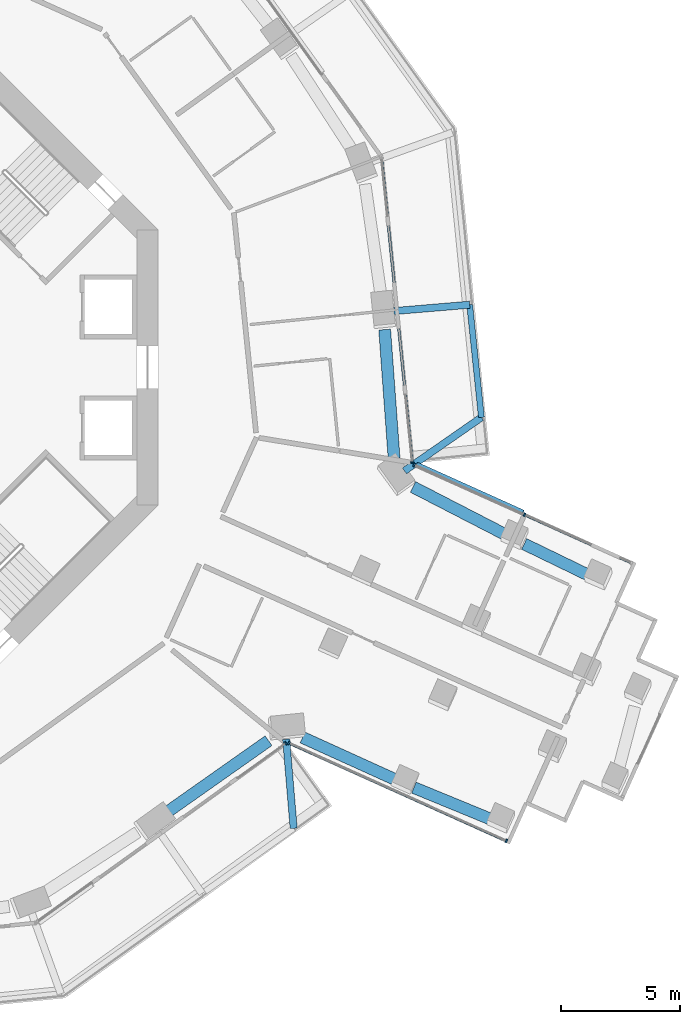
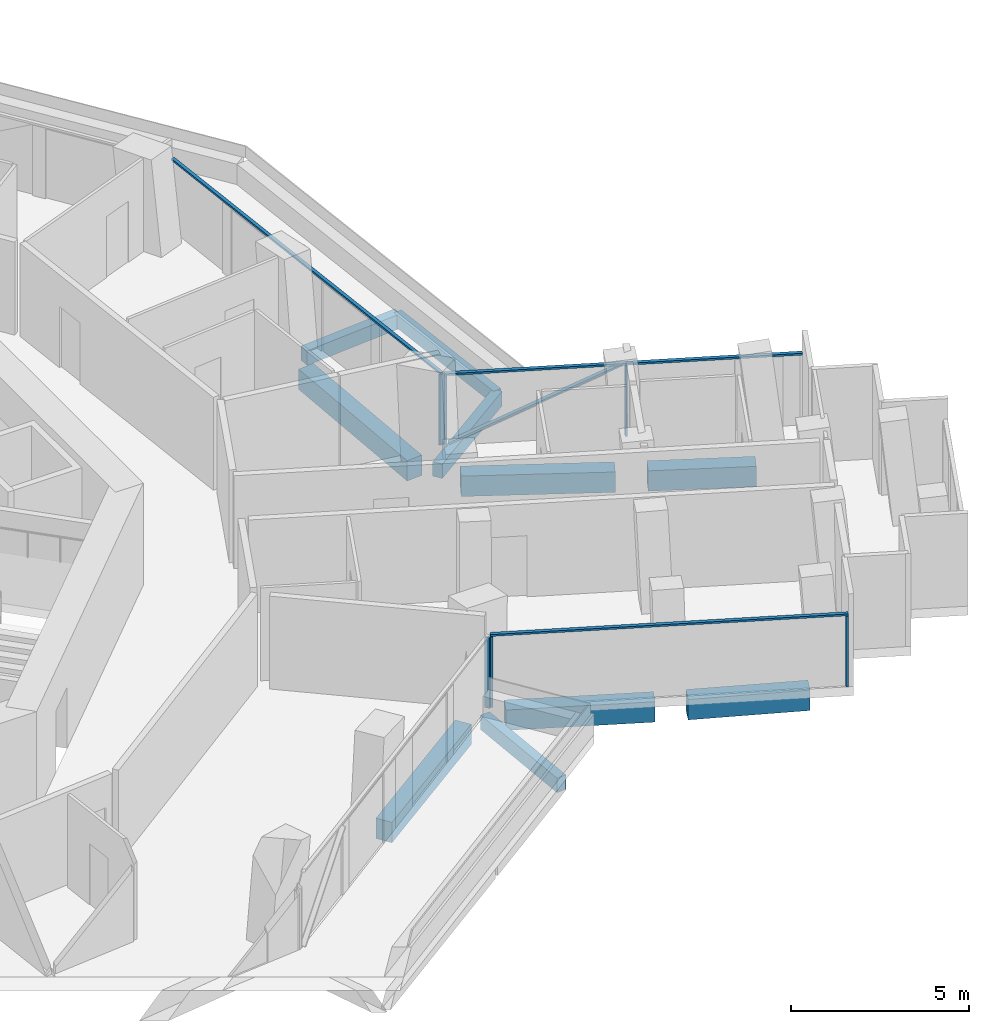
# One storey, part 6 of 26: 10 beams, 10 members, 4 elements without a shape of their own.
"""IFC4 building model written with IfcOpenShell, lengths in metres."""

from ifc_helpers import new_model, si_unit, direction, frame, origin, origin_2d, place, context, subcontext, project, spatial, rectangle, extrude, material, layer, layer_set, material_profile, profile_set, type_object, element, aggregate, save


model = new_model("IFC4")

# Units and contexts
model_context = context("Model", 3, precision=1e-05, world=origin(), true_north=direction((0.0, 1.0)))
body_context = subcontext(model_context, "Body", "Model", "MODEL_VIEW")
ifc_project = project(units=[si_unit("LENGTHUNIT", "METRE"), si_unit("AREAUNIT", "SQUARE_METRE"), si_unit("VOLUMEUNIT", "CUBIC_METRE"), si_unit("PLANEANGLEUNIT", "RADIAN"), si_unit("MASSUNIT", "GRAM", prefix="KILO")], contexts=[model_context])

# Site, building, storey
site_placement = place(None, origin())
site = spatial("IfcSite", under=ifc_project, at=site_placement, CompositionType="ELEMENT")
building_placement = place(site_placement, origin())
building = spatial("IfcBuilding", under=site, at=building_placement, Name="Verdalira Terraces Hotel", CompositionType="ELEMENT")
storey_placement = place(building_placement, frame((0.0, 0.0, 56.5)))
storey = spatial("IfcBuildingStorey", under=building, at=storey_placement, Name="L12", CompositionType="ELEMENT", Elevation=56.5)

# Beams
ifc_material_1 = material(Name="Concrete C40", Category="concrete")
ifc_material_profile_1 = material_profile(ifc_material_1, rectangle(XDim=0.300049, YDim=0.5, at=origin_2d()), Name="RC 300X500")
ifc_profile_set_1 = profile_set([ifc_material_profile_1], Name="Concrete C40")
beam_type_1 = type_object("IfcBeamType", Name="Balcony cantilever beam RC 300X500 C40", PredefinedType="BEAM", material=ifc_profile_set_1)
beam_1_placement = place(storey_placement, frame((19.39624, -15.674072, -0.560059), z_axis=(0.083672538, -0.996493305, 0.0), x_axis=(0.996493305, 0.083672538, 0.0)))
element("IfcBeam", 1, at=beam_1_placement, inside=storey, type_object=beam_type_1, Name="Balcony cantilever beam R26-5", PredefinedType="BEAM", context=body_context, shape_type="SweptSolid", body=[
    extrude(rectangle(XDim=0.300049, YDim=0.5, at=origin_2d()), origin(), (0.0, 0.0, 1.0), 3.769775),
])
beam_2_placement = place(storey_placement, frame((24.382324, -4.364746, -0.560059), z_axis=(0.821129382, 0.570742094, 0.0), x_axis=(-0.570742094, 0.821129382, 0.0)))
element("IfcBeam", 2, at=beam_2_placement, inside=storey, type_object=beam_type_1, Name="Balcony cantilever beam R39-1", PredefinedType="BEAM", context=body_context, shape_type="SweptSolid", body=[
    extrude(rectangle(XDim=0.300049, YDim=0.5, at=origin_2d()), origin(), (0.0, 0.0, 1.0), 3.949951),
])
beam_3_placement = place(storey_placement, frame((23.940918, 2.37207, -0.560059), z_axis=(0.996492953, 0.083676728, 0.0), x_axis=(-0.083676728, 0.996492953, 0.0)))
element("IfcBeam", 3, at=beam_3_placement, inside=storey, type_object=beam_type_1, Name="Balcony cantilever beam R39-2", PredefinedType="BEAM", context=body_context, shape_type="SweptSolid", body=[
    extrude(rectangle(XDim=0.300049, YDim=0.5, at=origin_2d()), origin(), (0.0, 0.0, 1.0), 3.200684),
])
ifc_material_2 = material(Name="Concrete C40", Category="concrete")
ifc_material_profile_2 = material_profile(ifc_material_2, rectangle(XDim=0.25, YDim=0.449951, at=origin_2d()), Name="RC 250X450")
ifc_profile_set_2 = profile_set([ifc_material_profile_2], Name="Concrete C40")
beam_type_2 = type_object("IfcBeamType", Name="Balcony edge beam RC 250X450 C40", PredefinedType="BEAM", material=ifc_profile_set_2)
beam_4_placement = place(storey_placement, frame((27.625732, -2.110352, -0.534912), z_axis=(-0.103718811, 0.99460666, 0.0), x_axis=(-0.99460666, -0.103718811, 0.0)))
element("IfcBeam", 4, at=beam_4_placement, inside=storey, type_object=beam_type_2, Name="Balcony edge beam R39-1", PredefinedType="BEAM", context=body_context, shape_type="SweptSolid", body=[
    extrude(rectangle(XDim=0.25, YDim=0.449951, at=origin_2d()), origin(), (0.0, 0.0, 1.0), 4.776123),
])

# Curtain wall, member
ifc_material_3 = material(Name="Clear glass", Category="glass")
ifc_layer_1 = layer(ifc_material_3, 0.14990234375)
ifc_layer_set_1 = layer_set([ifc_layer_1], Name="CW1 curtain wall")
curtain_wall_type_1 = type_object("IfcCurtainWallType", Name="CW1 curtain wall", PredefinedType="NOTDEFINED", material=ifc_layer_set_1)
curtain_wall_1_placement = place(storey_placement, origin())
curtain_wall_1 = element("IfcCurtainWall", 5, at=curtain_wall_1_placement, inside=storey, type_object=curtain_wall_type_1, Name="CW1 curtain wall L12 edge 27", PredefinedType="NOTDEFINED")
ifc_material_4 = material(Name="Terracotta frame", Category="masonry")
ifc_material_profile_3 = material_profile(ifc_material_4, rectangle(XDim=0.060059, YDim=0.149902, at=origin_2d()), Name="MU 60x150")
ifc_profile_set_3 = profile_set([ifc_material_profile_3], Name="Terracotta frame")
member_type_1 = type_object("IfcMemberType", Name="CW1 mullion 60x150", PredefinedType="MULLION", material=ifc_profile_set_3)
member_1_placement = place(storey_placement, frame((19.382812, -15.843018, 0.0), z_axis=(0.0, 0.0, 1.0), x_axis=(0.811471999, 0.584391303, 0.0)))
member_1 = element("IfcMember", 6, at=member_1_placement, type_object=member_type_1, Name="CW1 mullion", PredefinedType="MULLION", context=body_context, shape_type="SweptSolid", body=[
    extrude(rectangle(XDim=0.060059, YDim=0.149902, at=origin_2d()), origin(), (0.0, 0.0, 1.0), 2.425049),
])
aggregate(curtain_wall_1, [member_1])

# Curtain wall, members
curtain_wall_2_placement = place(storey_placement, origin())
curtain_wall_2 = element("IfcCurtainWall", 7, at=curtain_wall_2_placement, inside=storey, type_object=curtain_wall_type_1, Name="CW1 curtain wall L12 edge 39", PredefinedType="NOTDEFINED")
member_2_placement = place(storey_placement, frame((24.710449, -4.010254, 0.0), z_axis=(0.0, 0.0, 1.0), x_axis=(-0.100361715, 0.994951017, 0.0)))
member_2 = element("IfcMember", 8, at=member_2_placement, type_object=member_type_1, Name="CW1 mullion", PredefinedType="MULLION", context=body_context, shape_type="SweptSolid", body=[
    extrude(rectangle(XDim=0.060059, YDim=0.149902, at=origin_2d()), origin(), (0.0, 0.0, 1.0), 2.425049),
])
ifc_material_5 = material(Name="Terracotta frame", Category="masonry")
ifc_material_profile_4 = material_profile(ifc_material_5, rectangle(XDim=0.110107, YDim=0.064941, at=origin_2d()), Name="TR 65x110")
ifc_profile_set_4 = profile_set([ifc_material_profile_4], Name="Terracotta frame")
member_type_2 = type_object("IfcMemberType", Name="CW1 transom 65x110", PredefinedType="USERDEFINED", material=ifc_profile_set_4)
member_3_placement = place(storey_placement, frame((24.713623, -4.040039, 2.45752), z_axis=(-0.100370994, 0.994950081, 0.0), x_axis=(-0.994950081, -0.100370994, 0.0)))
member_3 = element("IfcMember", 9, at=member_3_placement, type_object=member_type_2, Name="CW1 transom", ObjectType="TRANSOM", PredefinedType="USERDEFINED", context=body_context, shape_type="SweptSolid", body=[
    extrude(rectangle(XDim=0.110107, YDim=0.064941, at=origin_2d()), origin(), (0.0, 0.0, 1.0), 12.959717),
])
aggregate(curtain_wall_2, [member_2, member_3])

ifc_material_6 = material(Name="Clear glass", Category="glass")
ifc_layer_2 = layer(ifc_material_6, 0.14990234375)
ifc_layer_set_2 = layer_set([ifc_layer_2], Name="CW2 curtain wall")
curtain_wall_type_2 = type_object("IfcCurtainWallType", Name="CW2 curtain wall", PredefinedType="NOTDEFINED", material=ifc_layer_set_2)
curtain_wall_3_placement = place(storey_placement, origin())
curtain_wall_3 = element("IfcCurtainWall", 10, at=curtain_wall_3_placement, inside=storey, type_object=curtain_wall_type_2, Name="CW2 curtain wall L12 edge 28", PredefinedType="NOTDEFINED")
ifc_material_7 = material(Name="Terracotta frame", Category="masonry")
ifc_material_profile_5 = material_profile(ifc_material_7, rectangle(XDim=0.070068, YDim=0.149902, at=origin_2d()), Name="MU 70x150")
ifc_profile_set_5 = profile_set([ifc_material_profile_5], Name="Terracotta frame")
member_type_3 = type_object("IfcMemberType", Name="CW2 mullion 70x150", PredefinedType="MULLION", material=ifc_profile_set_5)
member_4_placement = place(storey_placement, frame((19.513672, -15.832275, 0.0), z_axis=(0.0, 0.0, 1.0), x_axis=(0.911833714, -0.410559714, 0.0)))
member_4 = element("IfcMember", 11, at=member_4_placement, type_object=member_type_3, Name="CW2 mullion", PredefinedType="MULLION", context=body_context, shape_type="SweptSolid", body=[
    extrude(rectangle(XDim=0.070068, YDim=0.149902, at=origin_2d()), origin(), (0.0, 0.0, 1.0), 2.425049),
])
member_5_placement = place(storey_placement, frame((28.678223, -19.95874, 0.0), z_axis=(0.0, 0.0, 1.0), x_axis=(0.911833714, -0.410559714, 0.0)))
member_5 = element("IfcMember", 12, at=member_5_placement, type_object=member_type_3, Name="CW2 mullion", PredefinedType="MULLION", context=body_context, shape_type="SweptSolid", body=[
    extrude(rectangle(XDim=0.070068, YDim=0.149902, at=origin_2d()), origin(), (0.0, 0.0, 1.0), 2.425049),
])

curtain_wall_4_placement = place(storey_placement, origin())
curtain_wall_4 = element("IfcCurtainWall", 13, at=curtain_wall_4_placement, inside=storey, type_object=curtain_wall_type_2, Name="CW2 curtain wall L12 edge 38", PredefinedType="NOTDEFINED")
member_6_placement = place(storey_placement, frame((29.439941, -6.209473, 0.0), z_axis=(0.0, 0.0, 1.0), x_axis=(-0.911833714, 0.410559714, 0.0)))
member_6 = element("IfcMember", 14, at=member_6_placement, type_object=member_type_3, Name="CW2 mullion", PredefinedType="MULLION", context=body_context, shape_type="SweptSolid", body=[
    extrude(rectangle(XDim=0.070068, YDim=0.149902, at=origin_2d()), origin(), (0.0, 0.0, 1.0), 2.425049),
])
member_7_placement = place(storey_placement, frame((24.789307, -4.115234, 0.0), z_axis=(0.0, 0.0, 1.0), x_axis=(-0.911833714, 0.410559714, 0.0)))
member_7 = element("IfcMember", 15, at=member_7_placement, type_object=member_type_3, Name="CW2 mullion", PredefinedType="MULLION", context=body_context, shape_type="SweptSolid", body=[
    extrude(rectangle(XDim=0.070068, YDim=0.149902, at=origin_2d()), origin(), (0.0, 0.0, 1.0), 2.425049),
])

# Member
ifc_material_8 = material(Name="Terracotta frame", Category="masonry")
ifc_material_profile_6 = material_profile(ifc_material_8, rectangle(XDim=0.11499, YDim=0.064941, at=origin_2d()), Name="TR 65x115")
ifc_profile_set_6 = profile_set([ifc_material_profile_6], Name="Terracotta frame")
member_type_4 = type_object("IfcMemberType", Name="CW2 transom 65x115", PredefinedType="USERDEFINED", material=ifc_profile_set_6)
member_8_placement = place(storey_placement, frame((19.481689, -15.818115, 2.45752), z_axis=(0.911840242, -0.410545214, 0.0), x_axis=(0.410545214, 0.911840242, 0.0)))
member_8 = element("IfcMember", 16, at=member_8_placement, type_object=member_type_4, Name="CW2 transom", ObjectType="TRANSOM", PredefinedType="USERDEFINED", context=body_context, shape_type="SweptSolid", body=[
    extrude(rectangle(XDim=0.11499, YDim=0.064941, at=origin_2d()), origin(), (0.0, 0.0, 1.0), 10.12085),
])

aggregate(curtain_wall_3, [member_4, member_5, member_8])

member_9_placement = place(storey_placement, frame((33.98584, -8.256104, 2.45752), z_axis=(-0.911840242, 0.410545214, 0.0), x_axis=(-0.410545214, -0.911840242, 0.0)))
member_9 = element("IfcMember", 17, at=member_9_placement, type_object=member_type_4, Name="CW2 transom", ObjectType="TRANSOM", PredefinedType="USERDEFINED", context=body_context, shape_type="SweptSolid", body=[
    extrude(rectangle(XDim=0.11499, YDim=0.064941, at=origin_2d()), origin(), (0.0, 0.0, 1.0), 10.12085),
])

ifc_material_9 = material(Name="Terracotta frame", Category="masonry")
ifc_material_profile_7 = material_profile(ifc_material_9, rectangle(XDim=0.149902, YDim=0.060059, at=origin_2d()), Name="GB 60x150")
ifc_profile_set_7 = profile_set([ifc_material_profile_7], Name="Terracotta frame")
member_type_5 = type_object("IfcMemberType", Name="Diagonal glazing bar 60x150", PredefinedType="USERDEFINED", material=ifc_profile_set_7)
member_10_placement = place(storey_placement, frame((29.392822, -6.088135, 2.397217), z_axis=(-0.821378973, 0.369790577, -0.434271243), x_axis=(-0.410521651, -0.911850851, 0.0)))
member_10 = element("IfcMember", 18, at=member_10_placement, type_object=member_type_5, Name="Diagonal glazing bar", ObjectType="GLAZING BAR", PredefinedType="USERDEFINED", context=body_context, shape_type="SweptSolid", body=[
    extrude(rectangle(XDim=0.149902, YDim=0.060059, at=origin_2d()), origin(), (0.0, 0.0, 1.0), 5.456055),
])

aggregate(curtain_wall_4, [member_6, member_7, member_9, member_10])

# Beams
ifc_material_10 = material(Name="Concrete C70", Category="concrete")
ifc_material_profile_8 = material_profile(ifc_material_10, rectangle(XDim=0.5, YDim=0.699951, at=origin_2d()), Name="RC 500X700")
ifc_profile_set_8 = profile_set([ifc_material_profile_8], Name="Concrete C70")
beam_type_3 = type_object("IfcBeamType", Name="Spandrel beam RC 500X700 C70", PredefinedType="SPANDREL", material=ifc_profile_set_8)
beam_5_placement = place(storey_placement, frame((14.310303, -18.795898, -0.659912), z_axis=(0.817535545, 0.575878141, 0.0), x_axis=(-0.575878141, 0.817535545, 0.0)))
element("IfcBeam", 19, at=beam_5_placement, inside=storey, type_object=beam_type_3, Name="Spandrel beam B24", PredefinedType="SPANDREL", context=body_context, shape_type="SweptSolid", body=[
    extrude(rectangle(XDim=0.5, YDim=0.699951, at=origin_2d()), origin(), (0.0, 0.0, 1.0), 5.312012),
])
beam_6_placement = place(storey_placement, frame((20.089111, -15.601318, -0.659912), z_axis=(0.910509059, -0.41348912, 0.0), x_axis=(0.41348912, 0.910509059, 0.0)))
element("IfcBeam", 20, at=beam_6_placement, inside=storey, type_object=beam_type_3, Name="Spandrel beam B25", PredefinedType="SPANDREL", context=body_context, shape_type="SweptSolid", body=[
    extrude(rectangle(XDim=0.5, YDim=0.699951, at=origin_2d()), origin(), (0.0, 0.0, 1.0), 4.220459),
])
beam_7_placement = place(storey_placement, frame((24.780518, -17.713135, -0.659912), z_axis=(0.924926027, -0.380147134, 0.0), x_axis=(0.380147134, 0.924926027, 0.0)))
element("IfcBeam", 21, at=beam_7_placement, inside=storey, type_object=beam_type_3, Name="Spandrel beam B26", PredefinedType="SPANDREL", context=body_context, shape_type="SweptSolid", body=[
    extrude(rectangle(XDim=0.5, YDim=0.699951, at=origin_2d()), origin(), (0.0, 0.0, 1.0), 3.464111),
])
beam_8_placement = place(storey_placement, frame((32.17334, -8.776123, -0.659912), z_axis=(-0.899769377, 0.43636575, 0.0), x_axis=(-0.43636575, -0.899769377, 0.0)))
element("IfcBeam", 22, at=beam_8_placement, inside=storey, type_object=beam_type_3, Name="Spandrel beam B28", PredefinedType="SPANDREL", context=body_context, shape_type="SweptSolid", body=[
    extrude(rectangle(XDim=0.5, YDim=0.699951, at=origin_2d()), origin(), (0.0, 0.0, 1.0), 3.052002),
])
beam_9_placement = place(storey_placement, frame((28.605713, -7.033203, -0.659912), z_axis=(-0.888867141, 0.458165043, 0.0), x_axis=(-0.458165043, -0.888867141, 0.0)))
element("IfcBeam", 23, at=beam_9_placement, inside=storey, type_object=beam_type_3, Name="Spandrel beam B29", PredefinedType="SPANDREL", context=body_context, shape_type="SweptSolid", body=[
    extrude(rectangle(XDim=0.5, YDim=0.699951, at=origin_2d()), origin(), (0.0, 0.0, 1.0), 4.347168),
])
beam_10_placement = place(storey_placement, frame((23.944092, -3.832275, -0.659912), z_axis=(-0.072940791, 0.997336273, 0.0), x_axis=(-0.997336273, -0.072940791, 0.0)))
element("IfcBeam", 24, at=beam_10_placement, inside=storey, type_object=beam_type_3, Name="Spandrel beam B30", PredefinedType="SPANDREL", context=body_context, shape_type="SweptSolid", body=[
    extrude(rectangle(XDim=0.5, YDim=0.699951, at=origin_2d()), origin(), (0.0, 0.0, 1.0), 5.438965),
])

save(model, "model.ifc")
